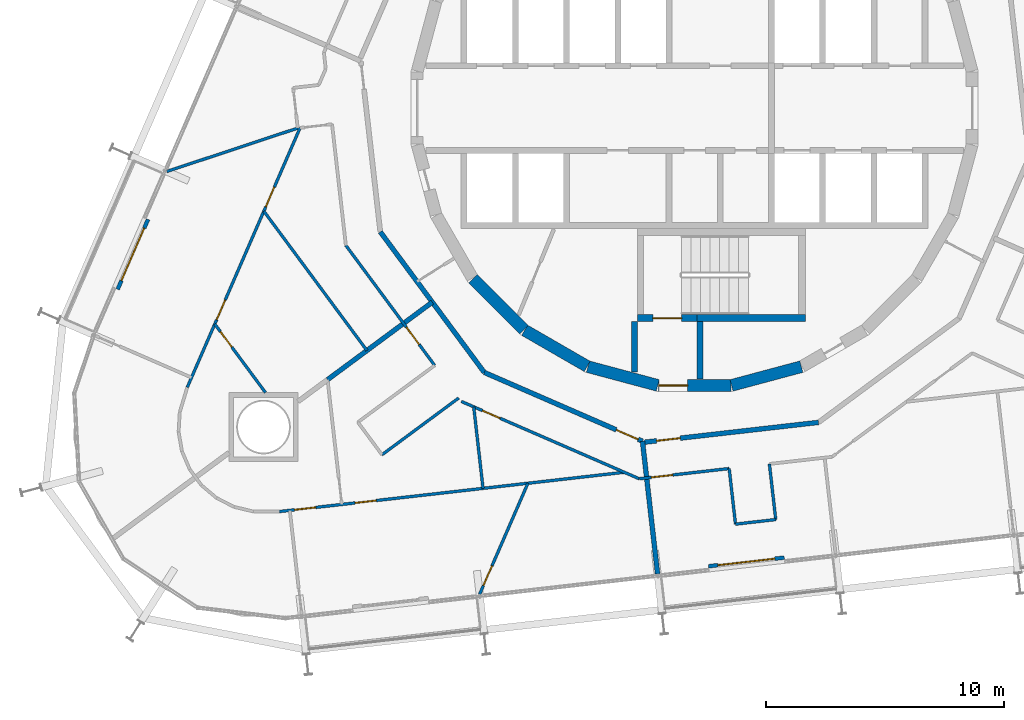
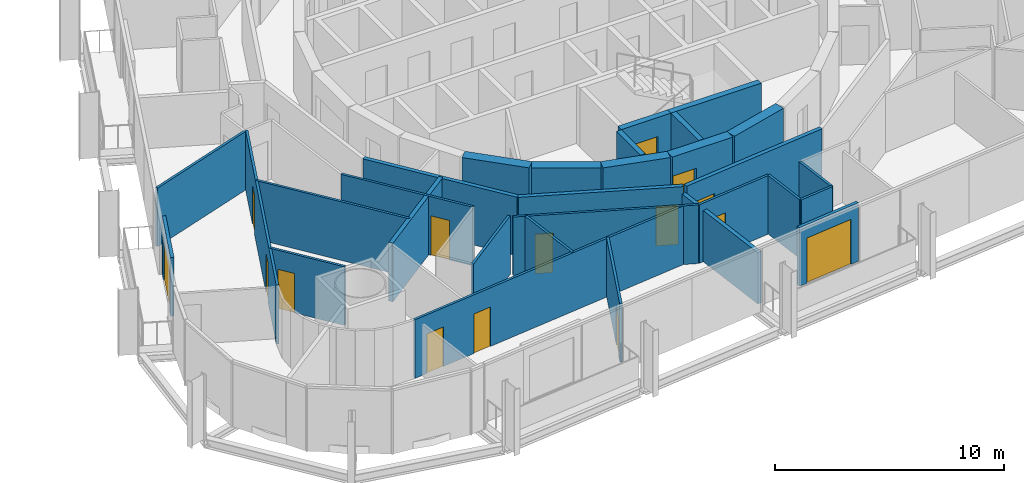
# One storey, part 14 of 22: 30 walls, 15 doors, 15 openings.
"""IFC4 building model written with IfcOpenShell, lengths in metres."""

from ifc_helpers import new_model, si_unit, direction, frame, frame_2d, origin, place, context, subcontext, project, spatial, rectangle, extrude, material, layer, layer_set, type_object, element, fill, save


model = new_model("IFC4")

# Units and contexts
model_context = context("Model", 3, precision=1e-05, world=origin(), true_north=direction((0.0, 1.0)))
body_context = subcontext(model_context, "Body", "Model", "MODEL_VIEW")
ifc_project = project(units=[si_unit("LENGTHUNIT", "METRE"), si_unit("AREAUNIT", "SQUARE_METRE"), si_unit("VOLUMEUNIT", "CUBIC_METRE"), si_unit("PLANEANGLEUNIT", "RADIAN"), si_unit("MASSUNIT", "GRAM", prefix="KILO")], contexts=[model_context])

# Site, building, storey
site_placement = place(None, origin())
site = spatial("IfcSite", under=ifc_project, at=site_placement, CompositionType="ELEMENT")
building_placement = place(site_placement, origin())
building = spatial("IfcBuilding", under=site, at=building_placement, Name="Spindle Arch Residences", CompositionType="ELEMENT")
storey_placement = place(building_placement, frame((0.0, 0.0, 80.199951171875)))
storey = spatial("IfcBuildingStorey", under=building, at=storey_placement, Name="L18", CompositionType="ELEMENT", Elevation=80.199951171875)

# Walls
ifc_material_1 = material(Name="Concrete C50/60", Category="concrete")
ifc_layer_1 = layer(ifc_material_1, 0.5)
ifc_layer_set_1 = layer_set([ifc_layer_1], Name="Core outline wall 500")
wall_type_1 = type_object("IfcWallType", Name="Core outline wall 500", PredefinedType="SHEAR", material=ifc_layer_set_1)
wall_1_placement = place(storey_placement, frame((1.5498046875, -11.642822265625, 0.0), z_axis=(0.0, 0.0, 1.0), x_axis=(0.965948410781, 0.258734743916, 0.0)))
element("IfcWall", 1, at=wall_1_placement, inside=storey, type_object=wall_type_1, Name="Core outline wall 1", PredefinedType="SHEAR", context=body_context, shape_type="SweptSolid", body=[
    extrude(rectangle(XDim=3.03271484375, YDim=0.5, at=frame_2d((1.516357421875, 0.0))), origin(), (0.0, 0.0, 1.0), 3.1201171875),
])
wall_2_placement = place(storey_placement, frame((-9.30810546875, -7.163818359375, 0.0), z_axis=(0.0, 0.0, 1.0), x_axis=(0.707106781187, -0.707106781187, 0.0)))
element("IfcWall", 2, at=wall_2_placement, inside=storey, type_object=wall_type_1, Name="Core outline wall 21", PredefinedType="SHEAR", context=body_context, shape_type="SweptSolid", body=[
    extrude(rectangle(XDim=3.032470703125, YDim=0.5, at=frame_2d((1.51611328125, 0.0))), origin(), (0.0, 0.0, 1.0), 3.1201171875),
])
for number, where, z_axis, x_axis, name in (
    (3, (-7.13671875, -9.32861328125, 0.0), (0.0, 0.0, 1.0), (0.865975092491, -0.500087131594, 0.0), "Core outline wall 22"),
    (4, (-4.479248046875, -10.858154296875, 0.0), (0.0, 0.0, 1.0), (0.965948410781, -0.258734743916, 0.0), "Core outline wall 23"),
):
    element("IfcWall", number, at=place(storey_placement, frame(where, z_axis=z_axis, x_axis=x_axis)), inside=storey, type_object=wall_type_1, Name=name, PredefinedType="SHEAR", context=body_context, shape_type="SweptSolid", body=[
        extrude(rectangle(XDim=3.03271484375, YDim=0.5, at=frame_2d((1.516357421875, 0.0))), origin(), (0.0, 0.0, 1.0), 3.1201171875),
    ])

# Wall, opening, door
wall_3_placement = place(storey_placement, frame((-1.516357421875, -11.647216796875, 0.0), z_axis=(0.0, 0.0, 1.0), x_axis=(1.0, 0.0, 0.0)))
wall_3 = element("IfcWall", 5, at=wall_3_placement, inside=storey, type_object=wall_type_1, Name="Core outline wall 24", PredefinedType="SHEAR", context=body_context, shape_type="SweptSolid", body=[
    extrude(rectangle(XDim=3.03271484375, YDim=0.5, at=frame_2d((1.516357421875, 0.0))), origin(), (0.0, 0.0, 1.0), 3.1201171875),
])
opening_1_placement = place(wall_3_placement, frame((0.016357421875, 0.0, 0.0)))
opening_1 = element("IfcOpeningElement", 6, at=opening_1_placement, cuts=wall_3, Name="Opening R2A1-AD03", PredefinedType="OPENING", context=body_context, shape_type="SweptSolid", body=[
    extrude(rectangle(XDim=1.199951171875, YDim=2.10009765625, at=frame_2d((0.60009765625, 1.050048828125))), frame((0.0, 0.260009765625, 0.0), z_axis=(0.0, -1.0, 0.0), x_axis=(1.0, 0.0, 0.0)), (0.0, 0.0, 1.0), 0.52001953125),
])
ifc_material_2 = material(Name="Steel, fire-resisting door", Category="steel")
door_type_1 = type_object("IfcDoorType", Name="Stair airlock door 1200x2100", OperationType="SINGLE_SWING_LEFT", PredefinedType="DOOR", material=ifc_material_2)
door_1_placement = place(opening_1_placement, origin())
door_1 = element("IfcDoor", 7, at=door_1_placement, inside=storey, type_object=door_type_1, Name="Stair airlock door R2A1-AD03", OperationType="SINGLE_SWING_RIGHT", OverallHeight=2.10009765625, OverallWidth=1.199951171875, PredefinedType="DOOR", context=body_context, shape_type="SweptSolid", body=[
    extrude(rectangle(XDim=1.199951171875, YDim=2.10009765625, at=frame_2d((0.60009765625, 1.050048828125))), frame((0.0, 0.02490234375, 0.0), z_axis=(0.0, -1.0, 0.0), x_axis=(1.0, 0.0, 0.0)), (0.0, 0.0, 1.0), 0.050048828125),
])
fill(opening_1, door_1)

# Wall
ifc_material_3 = material(Name="Calcium silicate block, plastered")
ifc_layer_2 = layer(ifc_material_3, 0.199951171875)
ifc_layer_set_2 = layer_set([ifc_layer_2], Name="Corridor wall 200")
wall_type_2 = type_object("IfcWallType", Name="Corridor wall 200", PredefinedType="STANDARD", material=ifc_layer_set_2)
wall_4_placement = place(storey_placement, frame((-13.1962890625, -5.1982421875, 0.0), z_axis=(0.0, 0.0, 1.0), x_axis=(0.594805187394, -0.803869883159, 0.0)))
element("IfcWall", 8, at=wall_4_placement, inside=storey, type_object=wall_type_2, Name="Corridor wall R2A1-W012", PredefinedType="STANDARD", context=body_context, shape_type="SweptSolid", body=[
    extrude(rectangle(XDim=7.341796875, YDim=0.199951171875, at=frame_2d((3.6708984375, 0.0))), origin(), (0.0, 0.0, 1.0), 3.1201171875),
])

# Wall, opening, door
wall_5_placement = place(storey_placement, frame((-8.829345703125, -11.10009765625, 0.0), z_axis=(0.0, 0.0, 1.0), x_axis=(0.917063622491, -0.398740908742, 0.0)))
wall_5 = element("IfcWall", 9, at=wall_5_placement, inside=storey, type_object=wall_type_2, Name="Corridor wall R2A1-W013", PredefinedType="STANDARD", context=body_context, shape_type="SweptSolid", body=[
    extrude(rectangle(XDim=7.239501953125, YDim=0.199951171875, at=frame_2d((3.61962890625, 0.0))), origin(), (0.0, 0.0, 1.0), 3.1201171875),
])
opening_2_placement = place(wall_5_placement, frame((6.03955078125, 0.0, 0.0)))
opening_2 = element("IfcOpeningElement", 10, at=opening_2_placement, cuts=wall_5, Name="Opening R2A1-FD05", PredefinedType="OPENING", context=body_context, shape_type="SweptSolid", body=[
    extrude(rectangle(XDim=1.0, YDim=2.10009765625, at=frame_2d((0.5, 1.050048828125))), frame((0.0, 0.10986328125, 0.0), z_axis=(0.0, -1.0, 0.0), x_axis=(1.0, 0.0, 0.0)), (0.0, 0.0, 1.0), 0.219970703125),
])
ifc_material_4 = material(Name="Timber, fire-resisting door set", Category="wood")
door_type_2 = type_object("IfcDoorType", Name="Flat entrance door 1000x2100", OperationType="NOTDEFINED", PredefinedType="DOOR", material=ifc_material_4)
door_2_placement = place(opening_2_placement, origin())
door_2 = element("IfcDoor", 11, at=door_2_placement, inside=storey, type_object=door_type_2, Name="Flat entrance door R2A1-FD05", OperationType="SINGLE_SWING_LEFT", OverallHeight=2.10009765625, OverallWidth=1.0, PredefinedType="DOOR", context=body_context, shape_type="SweptSolid", body=[
    extrude(rectangle(XDim=1.0, YDim=2.10009765625, at=frame_2d((0.5, 1.050048828125))), frame((0.0, 0.02490234375, 0.0), z_axis=(0.0, -1.0, 0.0), x_axis=(1.0, 0.0, 0.0)), (0.0, 0.0, 1.0), 0.050048828125),
])
fill(opening_2, door_2)

wall_6_placement = place(storey_placement, frame((-2.096435546875, -14.027587890625, 0.0), z_axis=(0.0, 0.0, 1.0), x_axis=(0.993569170114, 0.113226782163, 0.0)))
wall_6 = element("IfcWall", 12, at=wall_6_placement, inside=storey, type_object=wall_type_2, Name="Corridor wall R2A1-W014", PredefinedType="STANDARD", context=body_context, shape_type="SweptSolid", body=[
    extrude(rectangle(XDim=7.341796875, YDim=0.199951171875, at=frame_2d((3.6708984375, 0.0))), origin(), (0.0, 0.0, 1.0), 3.1201171875),
])
opening_3_placement = place(wall_6_placement, frame((0.5, 0.0, 0.0)))
opening_3 = element("IfcOpeningElement", 13, at=opening_3_placement, cuts=wall_6, Name="Opening R2A1-FD06", PredefinedType="OPENING", context=body_context, shape_type="SweptSolid", body=[
    extrude(rectangle(XDim=1.0, YDim=2.10009765625, at=frame_2d((0.5, 1.050048828125))), frame((0.0, 0.10986328125, 0.0), z_axis=(0.0, -1.0, 0.0), x_axis=(1.0, 0.0, 0.0)), (0.0, 0.0, 1.0), 0.219970703125),
])
door_3_placement = place(opening_3_placement, origin())
door_3 = element("IfcDoor", 14, at=door_3_placement, inside=storey, type_object=door_type_2, Name="Flat entrance door R2A1-FD06", OperationType="SINGLE_SWING_LEFT", OverallHeight=2.10009765625, OverallWidth=1.0, PredefinedType="DOOR", context=body_context, shape_type="SweptSolid", body=[
    extrude(rectangle(XDim=1.0, YDim=2.10009765625, at=frame_2d((0.5, 1.050048828125))), frame((0.0, 0.02490234375, 0.0), z_axis=(0.0, -1.0, 0.0), x_axis=(1.0, 0.0, 0.0)), (0.0, 0.0, 1.0), 0.050048828125),
])
fill(opening_3, door_3)

ifc_material_5 = material(Name="Plasterboard on steel studs", Category="steel")
ifc_layer_3 = layer(ifc_material_5, 0.1201171875)
ifc_layer_set_3 = layer_set([ifc_layer_3], Name="Flat partition 120")
wall_type_3 = type_object("IfcWallType", Name="Flat partition 120", PredefinedType="PARTITIONING", material=ifc_layer_set_3)
wall_7_placement = place(storey_placement, frame((-14.64111328125, -5.767333984375, 0.0), z_axis=(0.0, 0.0, 1.0), x_axis=(0.594825885962, -0.803854567313, 0.0)))
wall_7 = element("IfcWall", 15, at=wall_7_placement, inside=storey, type_object=wall_type_3, Name="Flat partition R2A1-W089", PredefinedType="PARTITIONING", context=body_context, shape_type="SweptSolid", body=[
    extrude(rectangle(XDim=6.26611328125, YDim=0.1201171875, at=frame_2d((3.133056640625, 0.0))), origin(), (0.0, 0.0, 1.0), 3.1201171875),
])
opening_4_placement = place(wall_7_placement, frame((4.272705078125, 0.0, 0.0)))
opening_4 = element("IfcOpeningElement", 16, at=opening_4_placement, cuts=wall_7, Name="Opening R2A1-ID23", PredefinedType="OPENING", context=body_context, shape_type="SweptSolid", body=[
    extrude(rectangle(XDim=0.89990234375, YDim=2.10009765625, at=frame_2d((0.449951171875, 1.050048828125))), frame((0.0, 0.070068359375, 0.0), z_axis=(0.0, -1.0, 0.0), x_axis=(1.0, 0.0, 0.0)), (0.0, 0.0, 1.0), 0.14013671875),
])
ifc_material_6 = material(Name="Timber door set", Category="wood")
door_type_3 = type_object("IfcDoorType", Name="Room door 900x2100", OperationType="NOTDEFINED", PredefinedType="DOOR", material=ifc_material_6)
door_4_placement = place(opening_4_placement, origin())
door_4 = element("IfcDoor", 17, at=door_4_placement, inside=storey, type_object=door_type_3, Name="Room door R2A1-ID23", OperationType="SINGLE_SWING_LEFT", OverallHeight=2.10009765625, OverallWidth=0.89990234375, PredefinedType="DOOR", context=body_context, shape_type="SweptSolid", body=[
    extrude(rectangle(XDim=0.89990234375, YDim=2.10009765625, at=frame_2d((0.449951171875, 1.050048828125))), frame((0.0, 0.02490234375, 0.0), z_axis=(0.0, -1.0, 0.0), x_axis=(1.0, 0.0, 0.0)), (0.0, 0.0, 1.0), 0.050048828125),
])
fill(opening_4, door_4)

# Wall
wall_8_placement = place(storey_placement, frame((-22.157470703125, -2.663818359375, 0.0), z_axis=(0.0, 0.0, 1.0), x_axis=(0.949263673698, 0.314481283698, 0.0)))
element("IfcWall", 18, at=wall_8_placement, inside=storey, type_object=wall_type_3, Name="Flat partition R2A1-W090", PredefinedType="PARTITIONING", context=body_context, shape_type="SweptSolid", body=[
    extrude(rectangle(XDim=5.7890625, YDim=0.1201171875, at=frame_2d((2.89453125, 0.0))), origin(), (0.0, 0.0, 1.0), 3.1201171875),
])

# Wall, openings, doors
wall_9_placement = place(storey_placement, frame((-21.298095703125, -11.72216796875, 0.0), z_axis=(0.0, 0.0, 1.0), x_axis=(0.398737387658, 0.917065153456, 0.0)))
wall_9 = element("IfcWall", 19, at=wall_9_placement, inside=storey, type_object=wall_type_3, Name="Flat partition R2A1-W091", PredefinedType="PARTITIONING", context=body_context, shape_type="SweptSolid", body=[
    extrude(rectangle(XDim=11.875244140625, YDim=0.1201171875, at=frame_2d((5.9375, 0.0))), origin(), (0.0, 0.0, 1.0), 3.1201171875),
])
opening_5_placement = place(wall_9_placement, frame((8.259765625, 0.0, 0.0)))
opening_5 = element("IfcOpeningElement", 20, at=opening_5_placement, cuts=wall_9, Name="Opening R2A1-ID20", PredefinedType="OPENING", context=body_context, shape_type="SweptSolid", body=[
    extrude(rectangle(XDim=0.89990234375, YDim=2.10009765625, at=frame_2d((0.449951171875, 1.050048828125))), frame((0.0, 0.070068359375, 0.0), z_axis=(0.0, -1.0, 0.0), x_axis=(1.0, 0.0, 0.0)), (0.0, 0.0, 1.0), 0.14013671875),
])
opening_6_placement = place(wall_9_placement, frame((3.09375, 0.0, 0.0)))
opening_6 = element("IfcOpeningElement", 21, at=opening_6_placement, cuts=wall_9, Name="Opening R2A1-ID21", PredefinedType="OPENING", context=body_context, shape_type="SweptSolid", body=[
    extrude(rectangle(XDim=0.89990234375, YDim=2.10009765625, at=frame_2d((0.449951171875, 1.050048828125))), frame((0.0, 0.070068359375, 0.0), z_axis=(0.0, -1.0, 0.0), x_axis=(1.0, 0.0, 0.0)), (0.0, 0.0, 1.0), 0.14013671875),
])
door_5_placement = place(opening_5_placement, origin())
door_5 = element("IfcDoor", 22, at=door_5_placement, inside=storey, type_object=door_type_3, Name="Room door R2A1-ID20", OperationType="SINGLE_SWING_RIGHT", OverallHeight=2.10009765625, OverallWidth=0.89990234375, PredefinedType="DOOR", context=body_context, shape_type="SweptSolid", body=[
    extrude(rectangle(XDim=0.89990234375, YDim=2.10009765625, at=frame_2d((0.449951171875, 1.050048828125))), frame((0.0, 0.02490234375, 0.0), z_axis=(0.0, -1.0, 0.0), x_axis=(1.0, 0.0, 0.0)), (0.0, 0.0, 1.0), 0.050048828125),
])
fill(opening_5, door_5)
door_6_placement = place(opening_6_placement, origin())
door_6 = element("IfcDoor", 23, at=door_6_placement, inside=storey, type_object=door_type_3, Name="Room door R2A1-ID21", OperationType="SINGLE_SWING_LEFT", OverallHeight=2.10009765625, OverallWidth=0.89990234375, PredefinedType="DOOR", context=body_context, shape_type="SweptSolid", body=[
    extrude(rectangle(XDim=0.89990234375, YDim=2.10009765625, at=frame_2d((0.449951171875, 1.050048828125))), frame((0.0, 0.02490234375, 0.0), z_axis=(0.0, -1.0, 0.0), x_axis=(1.0, 0.0, 0.0)), (0.0, 0.0, 1.0), 0.050048828125),
])
fill(opening_6, door_6)

# Wall
wall_10_placement = place(storey_placement, frame((-18.084228515625, -4.330810546875, 0.0), z_axis=(0.0, 0.0, 1.0), x_axis=(0.594811782108, -0.803865003508, 0.0)))
element("IfcWall", 24, at=wall_10_placement, inside=storey, type_object=wall_type_3, Name="Flat partition R2A1-W093", PredefinedType="PARTITIONING", context=body_context, shape_type="SweptSolid", body=[
    extrude(rectangle(XDim=7.275634765625, YDim=0.1201171875, at=frame_2d((3.6376953125, 0.0))), origin(), (0.0, 0.0, 1.0), 3.1201171875),
])

# Wall, opening, door
wall_11_placement = place(storey_placement, frame((-20.144287109375, -9.068359375, 0.0), z_axis=(0.0, 0.0, 1.0), x_axis=(0.59487477233, -0.803818390711, 0.0)))
wall_11 = element("IfcWall", 25, at=wall_11_placement, inside=storey, type_object=wall_type_3, Name="Flat partition R2A1-W094", PredefinedType="PARTITIONING", context=body_context, shape_type="SweptSolid", body=[
    extrude(rectangle(XDim=3.575439453125, YDim=0.1201171875, at=frame_2d((1.78759765625, 0.0))), origin(), (0.0, 0.0, 1.0), 3.1201171875),
])
opening_7_placement = place(wall_11_placement, frame((0.39990234375, 0.0, 0.0)))
opening_7 = element("IfcOpeningElement", 26, at=opening_7_placement, cuts=wall_11, Name="Opening R2A1-BD05", PredefinedType="OPENING", context=body_context, shape_type="SweptSolid", body=[
    extrude(rectangle(XDim=0.800048828125, YDim=2.10009765625, at=frame_2d((0.39990234375, 1.050048828125))), frame((0.0, 0.070068359375, 0.0), z_axis=(0.0, -1.0, 0.0), x_axis=(1.0, 0.0, 0.0)), (0.0, 0.0, 1.0), 0.14013671875),
])
ifc_material_7 = material(Name="Timber door set", Category="wood")
door_type_4 = type_object("IfcDoorType", Name="Bathroom door 800x2100", OperationType="NOTDEFINED", PredefinedType="DOOR", material=ifc_material_7)
door_7_placement = place(opening_7_placement, origin())
door_7 = element("IfcDoor", 27, at=door_7_placement, inside=storey, type_object=door_type_4, Name="Bathroom door R2A1-BD05", OperationType="SINGLE_SWING_RIGHT", OverallHeight=2.10009765625, OverallWidth=0.800048828125, PredefinedType="DOOR", context=body_context, shape_type="SweptSolid", body=[
    extrude(rectangle(XDim=0.800048828125, YDim=2.10009765625, at=frame_2d((0.39990234375, 1.050048828125))), frame((0.0, 0.02490234375, 0.0), z_axis=(0.0, -1.0, 0.0), x_axis=(1.0, 0.0, 0.0)), (0.0, 0.0, 1.0), 0.050048828125),
])
fill(opening_7, door_7)

# Wall
wall_12_placement = place(storey_placement, frame((-13.12451171875, -14.554931640625, 0.0), z_axis=(0.0, 0.0, 1.0), x_axis=(0.80389374229, 0.594772940799, 0.0)))
element("IfcWall", 28, at=wall_12_placement, inside=storey, type_object=wall_type_3, Name="Flat partition R2A1-W102", PredefinedType="PARTITIONING", context=body_context, shape_type="SweptSolid", body=[
    extrude(rectangle(XDim=4.0078125, YDim=0.1201171875, at=frame_2d((2.00390625, 0.0))), origin(), (0.0, 0.0, 1.0), 3.1201171875),
])

# Wall, opening, door
wall_13_placement = place(storey_placement, frame((-9.7958984375, -12.315185546875, 0.0), z_axis=(0.0, 0.0, 1.0), x_axis=(0.917059572812, -0.398750222463, 0.0)))
wall_13 = element("IfcWall", 29, at=wall_13_placement, inside=storey, type_object=wall_type_3, Name="Flat partition R2A1-W103", PredefinedType="PARTITIONING", context=body_context, shape_type="SweptSolid", body=[
    extrude(rectangle(XDim=8.1455078125, YDim=0.1201171875, at=frame_2d((4.07275390625, 0.0))), origin(), (0.0, 0.0, 1.0), 3.1201171875),
])
opening_8_placement = place(wall_13_placement, frame((0.969482421875, 0.0, 0.0)))
opening_8 = element("IfcOpeningElement", 30, at=opening_8_placement, cuts=wall_13, Name="Opening R2A1-BD06", PredefinedType="OPENING", context=body_context, shape_type="SweptSolid", body=[
    extrude(rectangle(XDim=0.800048828125, YDim=2.10009765625, at=frame_2d((0.39990234375, 1.050048828125))), frame((0.0, 0.070068359375, 0.0), z_axis=(0.0, -1.0, 0.0), x_axis=(1.0, 0.0, 0.0)), (0.0, 0.0, 1.0), 0.14013671875),
])
door_8_placement = place(opening_8_placement, origin())
door_8 = element("IfcDoor", 31, at=door_8_placement, inside=storey, type_object=door_type_4, Name="Bathroom door R2A1-BD06", OperationType="SINGLE_SWING_LEFT", OverallHeight=2.10009765625, OverallWidth=0.800048828125, PredefinedType="DOOR", context=body_context, shape_type="SweptSolid", body=[
    extrude(rectangle(XDim=0.800048828125, YDim=2.10009765625, at=frame_2d((0.39990234375, 1.050048828125))), frame((0.0, 0.02490234375, 0.0), z_axis=(0.0, -1.0, 0.0), x_axis=(1.0, 0.0, 0.0)), (0.0, 0.0, 1.0), 0.050048828125),
])
fill(opening_8, door_8)

wall_14_placement = place(storey_placement, frame((-2.325927734375, -15.563232421875, 0.0), z_axis=(0.0, 0.0, 1.0), x_axis=(0.993575068384, 0.113175012641, 0.0)))
wall_14 = element("IfcWall", 32, at=wall_14_placement, inside=storey, type_object=wall_type_3, Name="Flat partition R2A1-W104", PredefinedType="PARTITIONING", context=body_context, shape_type="SweptSolid", body=[
    extrude(rectangle(XDim=3.798828125, YDim=0.1201171875, at=frame_2d((1.8994140625, 0.0))), origin(), (0.0, 0.0, 1.0), 3.1201171875),
])
opening_9_placement = place(wall_14_placement, frame((0.513427734375, 0.0, 0.0)))
opening_9 = element("IfcOpeningElement", 33, at=opening_9_placement, cuts=wall_14, Name="Opening R2A1-ID29", PredefinedType="OPENING", context=body_context, shape_type="SweptSolid", body=[
    extrude(rectangle(XDim=0.89990234375, YDim=2.10009765625, at=frame_2d((0.449951171875, 1.050048828125))), frame((0.0, 0.070068359375, 0.0), z_axis=(0.0, -1.0, 0.0), x_axis=(1.0, 0.0, 0.0)), (0.0, 0.0, 1.0), 0.14013671875),
])
door_9_placement = place(opening_9_placement, origin())
door_9 = element("IfcDoor", 34, at=door_9_placement, inside=storey, type_object=door_type_3, Name="Room door R2A1-ID29", OperationType="SINGLE_SWING_LEFT", OverallHeight=2.10009765625, OverallWidth=0.89990234375, PredefinedType="DOOR", context=body_context, shape_type="SweptSolid", body=[
    extrude(rectangle(XDim=0.89990234375, YDim=2.10009765625, at=frame_2d((0.449951171875, 1.050048828125))), frame((0.0, 0.02490234375, 0.0), z_axis=(0.0, -1.0, 0.0), x_axis=(1.0, 0.0, 0.0)), (0.0, 0.0, 1.0), 0.050048828125),
])
fill(opening_9, door_9)

# Wall, openings, doors
wall_15_placement = place(storey_placement, frame((-17.436767578125, -16.940185546875, 0.0), z_axis=(0.0, 0.0, 1.0), x_axis=(0.993573314119, 0.113190412448, 0.0)))
wall_15 = element("IfcWall", 35, at=wall_15_placement, inside=storey, type_object=wall_type_3, Name="Flat partition R2A1-W109", PredefinedType="PARTITIONING", context=body_context, shape_type="SweptSolid", body=[
    extrude(rectangle(XDim=14.576416015625, YDim=0.1201171875, at=frame_2d((7.2880859375, 0.0))), origin(), (0.0, 0.0, 1.0), 3.1201171875),
])
opening_10_placement = place(wall_15_placement, frame((3.20068359375, 0.0, 0.0)))
opening_10 = element("IfcOpeningElement", 36, at=opening_10_placement, cuts=wall_15, Name="Opening R2A1-ID25", PredefinedType="OPENING", context=body_context, shape_type="SweptSolid", body=[
    extrude(rectangle(XDim=0.89990234375, YDim=2.10009765625, at=frame_2d((0.449951171875, 1.050048828125))), frame((0.0, 0.070068359375, 0.0), z_axis=(0.0, -1.0, 0.0), x_axis=(1.0, 0.0, 0.0)), (0.0, 0.0, 1.0), 0.14013671875),
])
opening_11_placement = place(wall_15_placement, frame((0.645263671875, 0.0, 0.0)))
opening_11 = element("IfcOpeningElement", 37, at=opening_11_placement, cuts=wall_15, Name="Opening R2A1-ID28", PredefinedType="OPENING", context=body_context, shape_type="SweptSolid", body=[
    extrude(rectangle(XDim=0.89990234375, YDim=2.10009765625, at=frame_2d((0.449951171875, 1.050048828125))), frame((0.0, 0.070068359375, 0.0), z_axis=(0.0, -1.0, 0.0), x_axis=(1.0, 0.0, 0.0)), (0.0, 0.0, 1.0), 0.14013671875),
])
door_10_placement = place(opening_10_placement, origin())
door_10 = element("IfcDoor", 38, at=door_10_placement, inside=storey, type_object=door_type_3, Name="Room door R2A1-ID25", OperationType="SINGLE_SWING_LEFT", OverallHeight=2.10009765625, OverallWidth=0.89990234375, PredefinedType="DOOR", context=body_context, shape_type="SweptSolid", body=[
    extrude(rectangle(XDim=0.89990234375, YDim=2.10009765625, at=frame_2d((0.449951171875, 1.050048828125))), frame((0.0, 0.02490234375, 0.0), z_axis=(0.0, -1.0, 0.0), x_axis=(1.0, 0.0, 0.0)), (0.0, 0.0, 1.0), 0.050048828125),
])
fill(opening_10, door_10)
door_11_placement = place(opening_11_placement, origin())
door_11 = element("IfcDoor", 39, at=door_11_placement, inside=storey, type_object=door_type_3, Name="Room door R2A1-ID28", OperationType="SINGLE_SWING_RIGHT", OverallHeight=2.10009765625, OverallWidth=0.89990234375, PredefinedType="DOOR", context=body_context, shape_type="SweptSolid", body=[
    extrude(rectangle(XDim=0.89990234375, YDim=2.10009765625, at=frame_2d((0.449951171875, 1.050048828125))), frame((0.0, 0.02490234375, 0.0), z_axis=(0.0, -1.0, 0.0), x_axis=(1.0, 0.0, 0.0)), (0.0, 0.0, 1.0), 0.050048828125),
])
fill(opening_11, door_11)

# Wall
wall_16_placement = place(storey_placement, frame((-8.883544921875, -15.9658203125, 0.0), z_axis=(0.0, 0.0, 1.0), x_axis=(-0.113230836929, 0.993568708026, 0.0)))
element("IfcWall", 40, at=wall_16_placement, inside=storey, type_object=wall_type_3, Name="Flat partition R2A1-W112", PredefinedType="PARTITIONING", context=body_context, shape_type="SweptSolid", body=[
    extrude(rectangle(XDim=3.445556640625, YDim=0.1201171875, at=frame_2d((1.72265625, 0.0))), origin(), (0.0, 0.0, 1.0), 3.1201171875),
])

# Wall, opening, door
wall_17_placement = place(storey_placement, frame((-9.025634765625, -20.410400390625, 0.0), z_axis=(0.0, 0.0, 1.0), x_axis=(0.398750711167, 0.917059360316, 0.0)))
wall_17 = element("IfcWall", 41, at=wall_17_placement, inside=storey, type_object=wall_type_3, Name="Flat partition R2A1-W113", PredefinedType="PARTITIONING", context=body_context, shape_type="SweptSolid", body=[
    extrude(rectangle(XDim=5.08056640625, YDim=0.1201171875, at=frame_2d((2.540283203125, 0.0))), origin(), (0.0, 0.0, 1.0), 3.1201171875),
])
opening_12_placement = place(wall_17_placement, frame((0.39990234375, 0.0, 0.0)))
opening_12 = element("IfcOpeningElement", 42, at=opening_12_placement, cuts=wall_17, Name="Opening R2A1-ID27", PredefinedType="OPENING", context=body_context, shape_type="SweptSolid", body=[
    extrude(rectangle(XDim=0.89990234375, YDim=2.10009765625, at=frame_2d((0.449951171875, 1.050048828125))), frame((0.0, 0.070068359375, 0.0), z_axis=(0.0, -1.0, 0.0), x_axis=(1.0, 0.0, 0.0)), (0.0, 0.0, 1.0), 0.14013671875),
])
door_12_placement = place(opening_12_placement, origin())
door_12 = element("IfcDoor", 43, at=door_12_placement, inside=storey, type_object=door_type_3, Name="Room door R2A1-ID27", OperationType="SINGLE_SWING_RIGHT", OverallHeight=2.10009765625, OverallWidth=0.89990234375, PredefinedType="DOOR", context=body_context, shape_type="SweptSolid", body=[
    extrude(rectangle(XDim=0.89990234375, YDim=2.10009765625, at=frame_2d((0.449951171875, 1.050048828125))), frame((0.0, 0.02490234375, 0.0), z_axis=(0.0, -1.0, 0.0), x_axis=(1.0, 0.0, 0.0)), (0.0, 0.0, 1.0), 0.050048828125),
])
fill(opening_12, door_12)

# Walls
wall_18_placement = place(storey_placement, frame((1.448486328125, -15.13330078125, 0.0), z_axis=(0.0, 0.0, 1.0), x_axis=(0.113180189053, -0.993574478741, 0.0)))
element("IfcWall", 44, at=wall_18_placement, inside=storey, type_object=wall_type_3, Name="Flat partition R2A1-W114", PredefinedType="PARTITIONING", context=body_context, shape_type="SweptSolid", body=[
    extrude(rectangle(XDim=2.34912109375, YDim=0.1201171875, at=frame_2d((1.174560546875, 0.0))), origin(), (0.0, 0.0, 1.0), 3.1201171875),
])
wall_19_placement = place(storey_placement, frame((1.71435546875, -17.46728515625, 0.0), z_axis=(0.0, 0.0, 1.0), x_axis=(0.993577030812, 0.113157782957, 0.0)))
element("IfcWall", 45, at=wall_19_placement, inside=storey, type_object=wall_type_3, Name="Flat partition R2A1-W115", PredefinedType="PARTITIONING", context=body_context, shape_type="SweptSolid", body=[
    extrude(rectangle(XDim=1.7001953125, YDim=0.1201171875, at=frame_2d((0.85009765625, 0.0))), origin(), (0.0, 0.0, 1.0), 3.1201171875),
])
wall_20_placement = place(storey_placement, frame((3.403564453125, -17.27490234375, 0.0), z_axis=(0.0, 0.0, 1.0), x_axis=(-0.113180189053, 0.993574478741, 0.0)))
element("IfcWall", 46, at=wall_20_placement, inside=storey, type_object=wall_type_3, Name="Flat partition R2A1-W116", PredefinedType="PARTITIONING", context=body_context, shape_type="SweptSolid", body=[
    extrude(rectangle(XDim=2.34912109375, YDim=0.1201171875, at=frame_2d((1.174560546875, 0.0))), origin(), (0.0, 0.0, 1.0), 3.1201171875),
])
ifc_material_8 = material(Name="Calcium silicate block, plastered")
ifc_layer_4 = layer(ifc_material_8, 0.199951171875)
ifc_layer_set_4 = layer_set([ifc_layer_4], Name="Flat party wall 200")
wall_type_4 = type_object("IfcWallType", Name="Flat party wall 200", PredefinedType="STANDARD", material=ifc_layer_set_4)
wall_21_placement = place(storey_placement, frame((-15.409912109375, -11.402587890625, 0.0), z_axis=(0.0, 0.0, 1.0), x_axis=(0.803887568227, 0.594781285558, 0.0)))
element("IfcWall", 47, at=wall_21_placement, inside=storey, type_object=wall_type_4, Name="Flat party wall R2A1-W024", PredefinedType="STANDARD", context=body_context, shape_type="SweptSolid", body=[
    extrude(rectangle(XDim=5.469970703125, YDim=0.199951171875, at=frame_2d((2.73486328125, 0.0))), origin(), (0.0, 0.0, 1.0), 3.1201171875),
])
ifc_material_9 = material(Name="Calcium silicate block, plastered")
ifc_layer_5 = layer(ifc_material_9, 0.199951171875)
ifc_layer_set_5 = layer_set([ifc_layer_5], Name="Flat party wall 200 under beam 2730")
wall_type_5 = type_object("IfcWallType", Name="Flat party wall 200 under beam 2730", PredefinedType="STANDARD", material=ifc_layer_set_5)
wall_22_placement = place(storey_placement, frame((-1.55517578125, -19.559326171875, 0.0), z_axis=(0.0, 0.0, 1.0), x_axis=(-0.113221250863, 0.993569800443, 0.0)))
element("IfcWall", 48, at=wall_22_placement, inside=storey, type_object=wall_type_5, Name="Flat party wall R2A1-W027", PredefinedType="STANDARD", context=body_context, shape_type="SweptSolid", body=[
    extrude(rectangle(XDim=5.608642578125, YDim=0.199951171875, at=frame_2d((2.80419921875, 0.0))), origin(), (0.0, 0.0, 1.0), 2.72998046875),
])

# Wall, opening, door
ifc_material_10 = material(Name="Non-combustible mineral wool insulated aluminium faced external wall (K0)", Category="aluminium")
ifc_layer_6 = layer(ifc_material_10, 0.159912109375)
ifc_layer_set_6 = layer_set([ifc_layer_6], Name="Insulated external wall panel 160")
wall_type_6 = type_object("IfcWallType", Name="Insulated external wall panel 160", PredefinedType="STANDARD", material=ifc_layer_set_6)
wall_23_placement = place(storey_placement, frame((-22.945068359375, -4.676025390625, 0.0), z_axis=(0.0, 0.0, 1.0), x_axis=(-0.398784695066, -0.917044582876, 0.0)))
wall_23 = element("IfcWall", 49, at=wall_23_placement, inside=storey, type_object=wall_type_6, Name="External wall L18 bay 18", PredefinedType="STANDARD", context=body_context, shape_type="SweptSolid", body=[
    extrude(rectangle(XDim=3.199951171875, YDim=0.159912109375, at=frame_2d((1.60009765625, 0.0))), origin(), (0.0, 0.0, 1.0), 3.1201171875),
])
opening_13_placement = place(wall_23_placement, frame((0.39990234375, 0.0, 0.0)))
opening_13 = element("IfcOpeningElement", 50, at=opening_13_placement, cuts=wall_23, Name="Opening BD18", PredefinedType="OPENING", context=body_context, shape_type="SweptSolid", body=[
    extrude(rectangle(XDim=2.39990234375, YDim=2.39990234375, at=frame_2d((1.199951171875, 1.199951171875))), frame((0.0, 0.08984375, 0.0), z_axis=(0.0, -1.0, 0.0), x_axis=(1.0, 0.0, 0.0)), (0.0, 0.0, 1.0), 0.179931640625),
])
ifc_material_11 = material(Name="Bronze aluminium frame, tinted double glazing", Category="aluminium")
door_type_5 = type_object("IfcDoorType", Name="Sliding glazed balcony door 2400x2400", OperationType="DOUBLE_DOOR_SLIDING", PredefinedType="DOOR", material=ifc_material_11)
door_13_placement = place(opening_13_placement, origin())
door_13 = element("IfcDoor", 51, at=door_13_placement, inside=storey, type_object=door_type_5, Name="Balcony door BD18", OperationType="DOUBLE_DOOR_SLIDING", OverallHeight=2.39990234375, OverallWidth=2.39990234375, PredefinedType="DOOR", context=body_context, shape_type="SweptSolid", body=[
    extrude(rectangle(XDim=2.39990234375, YDim=2.39990234375, at=frame_2d((1.199951171875, 1.199951171875))), frame((0.0, 0.02490234375, 0.0), z_axis=(0.0, -1.0, 0.0), x_axis=(1.0, 0.0, 0.0)), (0.0, 0.0, 1.0), 0.050048828125),
])
fill(opening_13, door_13)

wall_24_placement = place(storey_placement, frame((0.581298828125, -19.2353515625, 0.0), z_axis=(0.0, 0.0, 1.0), x_axis=(0.993569997097, 0.113219525124, 0.0)))
wall_24 = element("IfcWall", 52, at=wall_24_placement, inside=storey, type_object=wall_type_6, Name="External wall L18 bay 24", PredefinedType="STANDARD", context=body_context, shape_type="SweptSolid", body=[
    extrude(rectangle(XDim=3.199951171875, YDim=0.159912109375, at=frame_2d((1.60009765625, 0.0))), origin(), (0.0, 0.0, 1.0), 3.1201171875),
])
opening_14_placement = place(wall_24_placement, frame((0.39990234375, 0.0, 0.0)))
opening_14 = element("IfcOpeningElement", 53, at=opening_14_placement, cuts=wall_24, Name="Opening BD24", PredefinedType="OPENING", context=body_context, shape_type="SweptSolid", body=[
    extrude(rectangle(XDim=2.39990234375, YDim=2.39990234375, at=frame_2d((1.199951171875, 1.199951171875))), frame((0.0, 0.08984375, 0.0), z_axis=(0.0, -1.0, 0.0), x_axis=(1.0, 0.0, 0.0)), (0.0, 0.0, 1.0), 0.179931640625),
])
door_14_placement = place(opening_14_placement, origin())
door_14 = element("IfcDoor", 54, at=door_14_placement, inside=storey, type_object=door_type_5, Name="Balcony door BD24", OperationType="DOUBLE_DOOR_SLIDING", OverallHeight=2.39990234375, OverallWidth=2.39990234375, PredefinedType="DOOR", context=body_context, shape_type="SweptSolid", body=[
    extrude(rectangle(XDim=2.39990234375, YDim=2.39990234375, at=frame_2d((1.199951171875, 1.199951171875))), frame((0.0, 0.02490234375, 0.0), z_axis=(0.0, -1.0, 0.0), x_axis=(1.0, 0.0, 0.0)), (0.0, 0.0, 1.0), 0.050048828125),
])
fill(opening_14, door_14)

# Walls
ifc_material_12 = material(Name="Concrete C40/50", Category="concrete")
ifc_layer_7 = layer(ifc_material_12, 0.25)
ifc_layer_set_7 = layer_set([ifc_layer_7], Name="Stair airlock wall 250")
wall_type_7 = type_object("IfcWallType", Name="Stair airlock wall 250", PredefinedType="SHEAR", material=ifc_layer_set_7)
wall_25_placement = place(storey_placement, frame((-2.52490234375, -8.969970703125, 0.0), z_axis=(0.0, 0.0, 1.0), x_axis=(0.0, -1.0, 0.0)))
element("IfcWall", 55, at=wall_25_placement, inside=storey, type_object=wall_type_7, Name="Stair ST-3 airlock wall W", PredefinedType="SHEAR", context=body_context, shape_type="SweptSolid", body=[
    extrude(rectangle(XDim=2.110107421875, YDim=0.25, at=frame_2d((1.05517578125, 0.0))), origin(), (0.0, 0.0, 1.0), 3.1201171875),
])
wall_26_placement = place(storey_placement, frame((0.22509765625, -8.969970703125, 0.0), z_axis=(0.0, 0.0, 1.0), x_axis=(0.0, -1.0, 0.0)))
element("IfcWall", 56, at=wall_26_placement, inside=storey, type_object=wall_type_7, Name="Stair ST-3 airlock wall E", PredefinedType="SHEAR", context=body_context, shape_type="SweptSolid", body=[
    extrude(rectangle(XDim=2.409912109375, YDim=0.25, at=frame_2d((1.205078125, 0.0))), origin(), (0.0, 0.0, 1.0), 3.1201171875),
])
ifc_material_13 = material(Name="Concrete C50/60", Category="concrete")
ifc_layer_8 = layer(ifc_material_13, 0.300048828125)
ifc_layer_set_8 = layer_set([ifc_layer_8], Name="Stair enclosure wall 300")
wall_type_8 = type_object("IfcWallType", Name="Stair enclosure wall 300", PredefinedType="SHEAR", material=ifc_layer_set_8)
wall_27_placement = place(storey_placement, frame((0.10009765625, -8.820068359375, 0.0), z_axis=(0.0, 0.0, 1.0), x_axis=(1.0, 0.0, 0.0)))
element("IfcWall", 57, at=wall_27_placement, inside=storey, type_object=wall_type_8, Name="Stair ST-3 enclosure wall S", PredefinedType="SHEAR", context=body_context, shape_type="SweptSolid", body=[
    extrude(rectangle(XDim=4.5498046875, YDim=0.300048828125, at=frame_2d((2.27490234375, 0.0))), origin(), (0.0, 0.0, 1.0), 3.1201171875),
])

# Wall, opening, door
wall_28_placement = place(storey_placement, frame((-2.39990234375, -8.820068359375, 0.0), z_axis=(0.0, 0.0, 1.0), x_axis=(1.0, 0.0, 0.0)))
wall_28 = element("IfcWall", 58, at=wall_28_placement, inside=storey, type_object=wall_type_8, Name="Stair ST-3 door wall", PredefinedType="SHEAR", context=body_context, shape_type="SweptSolid", body=[
    extrude(rectangle(XDim=2.5, YDim=0.300048828125, at=frame_2d((1.25, 0.0))), origin(), (0.0, 0.0, 1.0), 3.1201171875),
])
opening_15_placement = place(wall_28_placement, frame((0.64990234375, 0.0, 0.0)))
opening_15 = element("IfcOpeningElement", 59, at=opening_15_placement, cuts=wall_28, Name="Opening R2A1-SD03", PredefinedType="OPENING", context=body_context, shape_type="SweptSolid", body=[
    extrude(rectangle(XDim=1.199951171875, YDim=2.10009765625, at=frame_2d((0.60009765625, 1.050048828125))), frame((0.0, 0.16015625, 0.0), z_axis=(0.0, -1.0, 0.0), x_axis=(1.0, 0.0, 0.0)), (0.0, 0.0, 1.0), 0.320068359375),
])
ifc_material_14 = material(Name="Steel, fire-resisting door", Category="steel")
door_type_6 = type_object("IfcDoorType", Name="Stair door 1200x2100", OperationType="SINGLE_SWING_RIGHT", PredefinedType="DOOR", material=ifc_material_14)
door_15_placement = place(opening_15_placement, origin())
door_15 = element("IfcDoor", 60, at=door_15_placement, inside=storey, type_object=door_type_6, Name="Stair door R2A1-SD03", OperationType="SINGLE_SWING_LEFT", OverallHeight=2.10009765625, OverallWidth=1.199951171875, PredefinedType="DOOR", context=body_context, shape_type="SweptSolid", body=[
    extrude(rectangle(XDim=1.199951171875, YDim=2.10009765625, at=frame_2d((0.60009765625, 1.050048828125))), frame((0.0, 0.02490234375, 0.0), z_axis=(0.0, -1.0, 0.0), x_axis=(1.0, 0.0, 0.0)), (0.0, 0.0, 1.0), 0.050048828125),
])
fill(opening_15, door_15)

save(model, "model.ifc")
